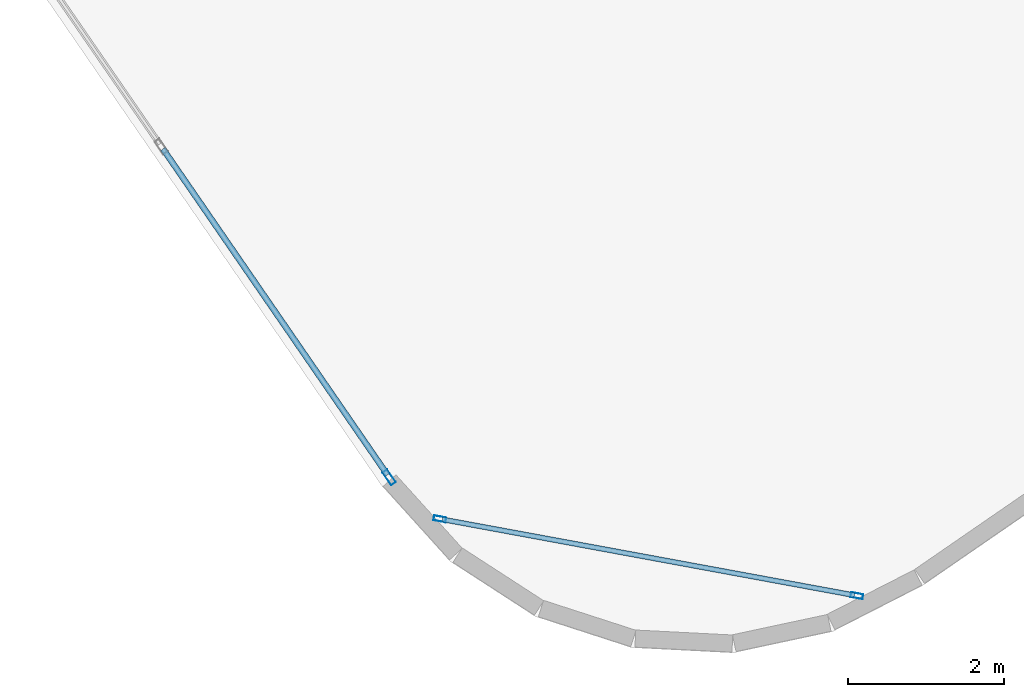
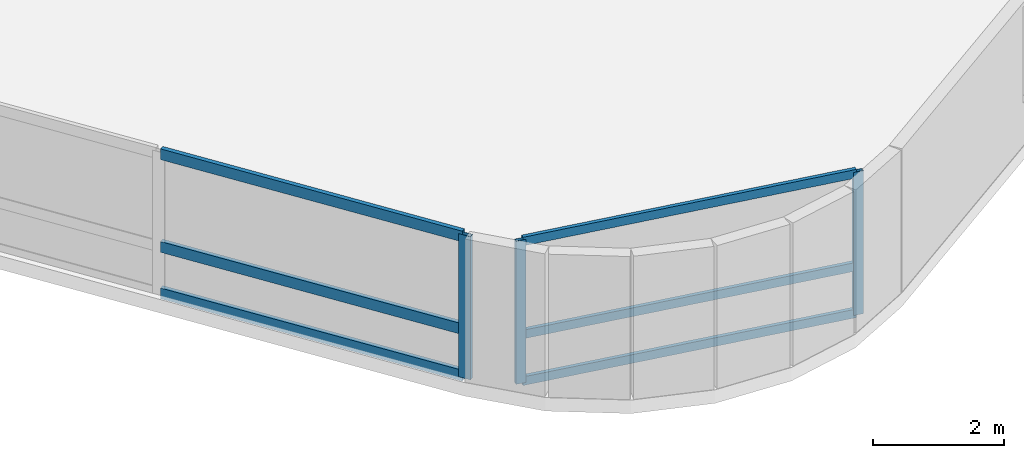
# One storey, part 4 of 23: 9 members, 2 elements without a shape of their own.
"""IFC4 building model written with IfcOpenShell, lengths in metres."""

from ifc_helpers import new_model, si_unit, direction, frame, origin, origin_2d, place, context, subcontext, project, spatial, hollow_rectangle, extrude, material, layer, layer_set, material_profile, profile_set, type_object, element, aggregate, save


model = new_model("IFC4")

# Units and contexts
model_context = context("Model", 3, precision=1e-05, world=origin(), true_north=direction((0.0, 1.0)))
body_context = subcontext(model_context, "Body", "Model", "MODEL_VIEW")
ifc_project = project(units=[si_unit("LENGTHUNIT", "METRE"), si_unit("AREAUNIT", "SQUARE_METRE"), si_unit("VOLUMEUNIT", "CUBIC_METRE"), si_unit("PLANEANGLEUNIT", "RADIAN"), si_unit("MASSUNIT", "GRAM", prefix="KILO")], contexts=[model_context])

# Site, building, storey
site_placement = place(None, origin())
site = spatial("IfcSite", under=ifc_project, at=site_placement, CompositionType="ELEMENT")
building_placement = place(site_placement, origin())
building = spatial("IfcBuilding", under=site, at=building_placement, Name="Varnelok Gate Tower", CompositionType="ELEMENT")
storey_placement = place(building_placement, frame((0.0, 0.0, 287.800048828125)))
storey = spatial("IfcBuildingStorey", under=building, at=storey_placement, Name="L74", CompositionType="ELEMENT", Elevation=287.800048828125)

# Curtain wall, members
ifc_material = material(Name="Anodized Aluminum Alloy 6063-T6", Category="aluminium")
ifc_layer_1 = layer(ifc_material, 0.179931640625)
ifc_layer_set_1 = layer_set([ifc_layer_1], Name="Anodized Aluminum Alloy 6063-T6")
curtain_wall_type_1 = type_object("IfcCurtainWallType", Name="CW5-WINDCORNER-GLAZ", PredefinedType="USERDEFINED", material=ifc_layer_set_1)
curtain_wall_1_placement = place(storey_placement, origin())
curtain_wall_1 = element("IfcCurtainWall", 1, at=curtain_wall_1_placement, inside=storey, type_object=curtain_wall_type_1, Name="L74 Wind-Shaped Corner Curtain Wall SW", ObjectType="STRUCTURAL GLAZING", PredefinedType="USERDEFINED")
ifc_material_profile_1 = material_profile(ifc_material, hollow_rectangle(XDim=0.06494140625, YDim=0.159912109375, WallThickness=0.00390625, at=origin_2d()), Name="ALU160X65X4")
ifc_profile_set_1 = profile_set([ifc_material_profile_1], Name="Anodized Aluminum Alloy 6063-T6")
member_type_1 = type_object("IfcMemberType", Name="CW-MULL-160", PredefinedType="MULLION", material=ifc_profile_set_1)
member_1_placement = place(storey_placement, frame((21.5361328125, -6.748779296875, 0.0), z_axis=(0.0, 0.0, 1.0), x_axis=(0.181201654564, 0.983445962106, 0.0)))
member_1 = element("IfcMember", 2, at=member_1_placement, type_object=member_type_1, Name="CW5 mullion 1", PredefinedType="MULLION", context=body_context, shape_type="SweptSolid", body=[
    extrude(hollow_rectangle(XDim=0.06494140625, YDim=0.159912109375, WallThickness=0.00390625, at=origin_2d()), origin(), (0.0, 0.0, 1.0), 2.659912109375),
])
member_2_placement = place(storey_placement, frame((26.896240234375, -7.736328125, 0.0), z_axis=(0.0, 0.0, 1.0), x_axis=(0.181201654564, 0.983445962106, 0.0)))
member_2 = element("IfcMember", 3, at=member_2_placement, type_object=member_type_1, Name="CW5 mullion 2", PredefinedType="MULLION", context=body_context, shape_type="SweptSolid", body=[
    extrude(hollow_rectangle(XDim=0.06494140625, YDim=0.159912109375, WallThickness=0.00390625, at=origin_2d()), origin(), (0.0, 0.0, 1.0), 2.659912109375),
])

# Curtain wall, member
ifc_layer_2 = layer(ifc_material, 0.179931640625)
ifc_layer_set_2 = layer_set([ifc_layer_2], Name="Anodized Aluminum Alloy 6063-T6")
curtain_wall_type_2 = type_object("IfcCurtainWallType", Name="CW6-CROWN-LOOKOUT", PredefinedType="USERDEFINED", material=ifc_layer_set_2)
curtain_wall_2_placement = place(storey_placement, origin())
curtain_wall_2 = element("IfcCurtainWall", 4, at=curtain_wall_2_placement, inside=storey, type_object=curtain_wall_type_2, Name="L74 West End Vision Curtain Wall", ObjectType="STRUCTURAL GLAZING", PredefinedType="USERDEFINED")
ifc_material_profile_2 = material_profile(ifc_material, hollow_rectangle(XDim=0.074951171875, YDim=0.199951171875, WallThickness=0.00390625, at=origin_2d()), Name="ALU200X75X4")
ifc_profile_set_2 = profile_set([ifc_material_profile_2], Name="Anodized Aluminum Alloy 6063-T6")
member_type_2 = type_object("IfcMemberType", Name="CW-MULL-200", PredefinedType="MULLION", material=ifc_profile_set_2)
member_3_placement = place(storey_placement, frame((20.884521484375, -6.21337890625, 0.0), z_axis=(0.0, 0.0, 1.0), x_axis=(-0.823532290241, -0.567269395376, 0.0)))
member_3 = element("IfcMember", 5, at=member_3_placement, type_object=member_type_2, Name="CW6 mullion 1", PredefinedType="MULLION", context=body_context, shape_type="SweptSolid", body=[
    extrude(hollow_rectangle(XDim=0.074951171875, YDim=0.199951171875, WallThickness=0.00390625, at=origin_2d()), origin(), (0.0, 0.0, 1.0), 2.659912109375),
])

# Member
ifc_material_profile_3 = material_profile(ifc_material, hollow_rectangle(XDim=0.06494140625, YDim=0.159912109375, WallThickness=0.00390625, at=origin_2d()), Name="ALU160X65X4")
ifc_profile_set_3 = profile_set([ifc_material_profile_3], Name="Anodized Aluminum Alloy 6063-T6")
member_type_3 = type_object("IfcMemberType", Name="CW-TRAN-160", PredefinedType="USERDEFINED", material=ifc_profile_set_3)
member_4_placement = place(storey_placement, frame((21.568115234375, -6.754638671875, 0.032470703125), z_axis=(0.983445748374, -0.18120281456, 0.0), x_axis=(0.18120281456, 0.983445748374, 0.0)))
member_4 = element("IfcMember", 6, at=member_4_placement, type_object=member_type_3, Name="CW5 transom 1.1", ObjectType="TRANSOM", PredefinedType="USERDEFINED", context=body_context, shape_type="SweptSolid", body=[
    extrude(hollow_rectangle(XDim=0.06494140625, YDim=0.159912109375, WallThickness=0.00390625, at=origin_2d()), origin(), (0.0, 0.0, 1.0), 5.38525390625),
])

member_5_placement = place(storey_placement, frame((21.568115234375, -6.754638671875, 0.89990234375), z_axis=(0.983445748374, -0.18120281456, 0.0), x_axis=(0.18120281456, 0.983445748374, 0.0)))
member_5 = element("IfcMember", 7, at=member_5_placement, type_object=member_type_3, Name="CW5 transom 1.2", ObjectType="TRANSOM", PredefinedType="USERDEFINED", context=body_context, shape_type="SweptSolid", body=[
    extrude(hollow_rectangle(XDim=0.06494140625, YDim=0.159912109375, WallThickness=0.00390625, at=origin_2d()), origin(), (0.0, 0.0, 1.0), 5.38525390625),
])

member_6_placement = place(storey_placement, frame((21.568115234375, -6.754638671875, 2.62744140625), z_axis=(0.983445748374, -0.18120281456, 0.0), x_axis=(0.18120281456, 0.983445748374, 0.0)))
member_6 = element("IfcMember", 8, at=member_6_placement, type_object=member_type_3, Name="CW5 transom 1.3", ObjectType="TRANSOM", PredefinedType="USERDEFINED", context=body_context, shape_type="SweptSolid", body=[
    extrude(hollow_rectangle(XDim=0.06494140625, YDim=0.159912109375, WallThickness=0.00390625, at=origin_2d()), origin(), (0.0, 0.0, 1.0), 5.38525390625),
])

aggregate(curtain_wall_1, [member_1, member_2, member_4, member_5, member_6])

ifc_material_profile_4 = material_profile(ifc_material, hollow_rectangle(XDim=0.074951171875, YDim=0.199951171875, WallThickness=0.00390625, at=origin_2d()), Name="ALU200X75X4")
ifc_profile_set_4 = profile_set([ifc_material_profile_4], Name="Anodized Aluminum Alloy 6063-T6")
member_type_4 = type_object("IfcMemberType", Name="CW-TRAN-200", PredefinedType="USERDEFINED", material=ifc_profile_set_4)
member_7_placement = place(storey_placement, frame((20.86328125, -6.1826171875, 0.037353515625), z_axis=(-0.567271968481, 0.823530517817, 0.0), x_axis=(-0.823530517817, -0.567271968481, 0.0)))
member_7 = element("IfcMember", 9, at=member_7_placement, type_object=member_type_4, Name="CW6 transom 1.1", ObjectType="TRANSOM", PredefinedType="USERDEFINED", context=body_context, shape_type="SweptSolid", body=[
    extrude(hollow_rectangle(XDim=0.074951171875, YDim=0.199951171875, WallThickness=0.00390625, at=origin_2d()), origin(), (0.0, 0.0, 1.0), 5.08740234375),
])

member_8_placement = place(storey_placement, frame((20.86328125, -6.1826171875, 0.89990234375), z_axis=(-0.567271968481, 0.823530517817, 0.0), x_axis=(-0.823530517817, -0.567271968481, 0.0)))
member_8 = element("IfcMember", 10, at=member_8_placement, type_object=member_type_4, Name="CW6 transom 1.2", ObjectType="TRANSOM", PredefinedType="USERDEFINED", context=body_context, shape_type="SweptSolid", body=[
    extrude(hollow_rectangle(XDim=0.074951171875, YDim=0.199951171875, WallThickness=0.00390625, at=origin_2d()), origin(), (0.0, 0.0, 1.0), 5.08740234375),
])

member_9_placement = place(storey_placement, frame((20.86328125, -6.1826171875, 2.62255859375), z_axis=(-0.567271968481, 0.823530517817, 0.0), x_axis=(-0.823530517817, -0.567271968481, 0.0)))
member_9 = element("IfcMember", 11, at=member_9_placement, type_object=member_type_4, Name="CW6 transom 1.3", ObjectType="TRANSOM", PredefinedType="USERDEFINED", context=body_context, shape_type="SweptSolid", body=[
    extrude(hollow_rectangle(XDim=0.074951171875, YDim=0.199951171875, WallThickness=0.00390625, at=origin_2d()), origin(), (0.0, 0.0, 1.0), 5.08740234375),
])

aggregate(curtain_wall_2, [member_3, member_7, member_8, member_9])

save(model, "model.ifc")
